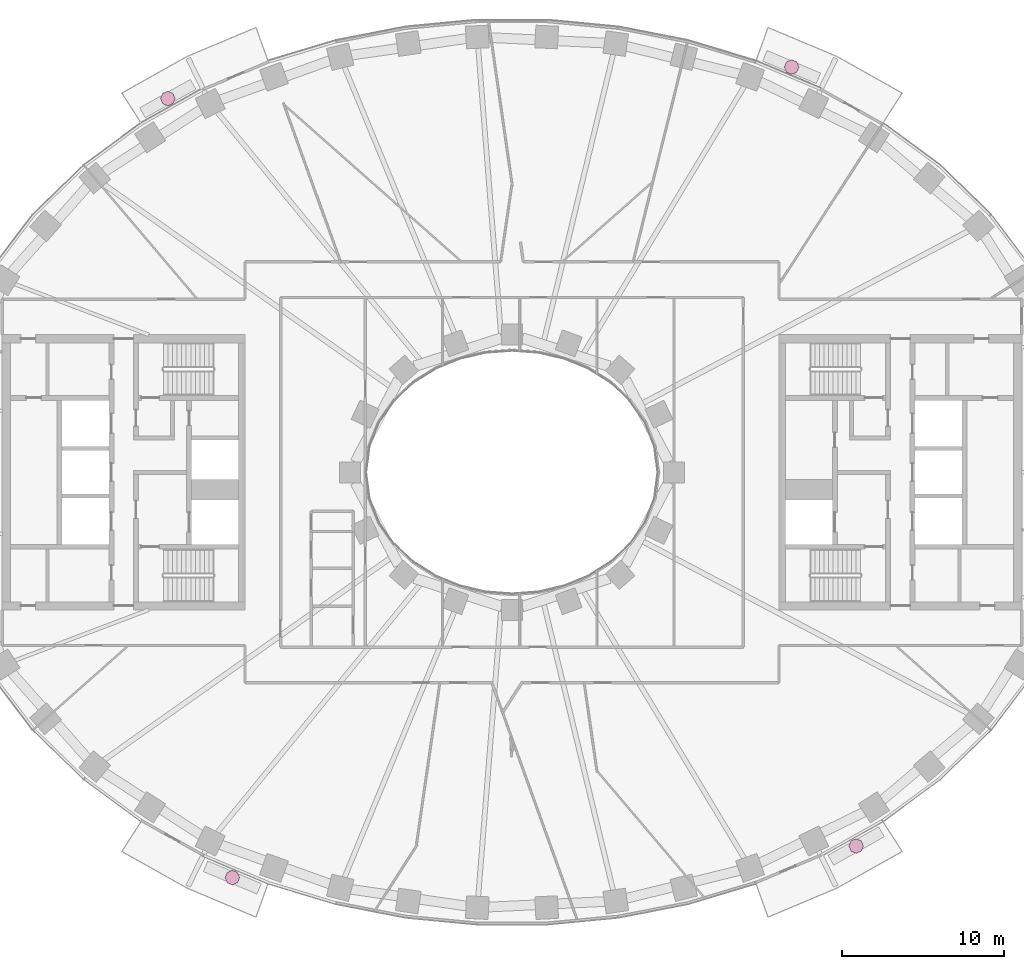
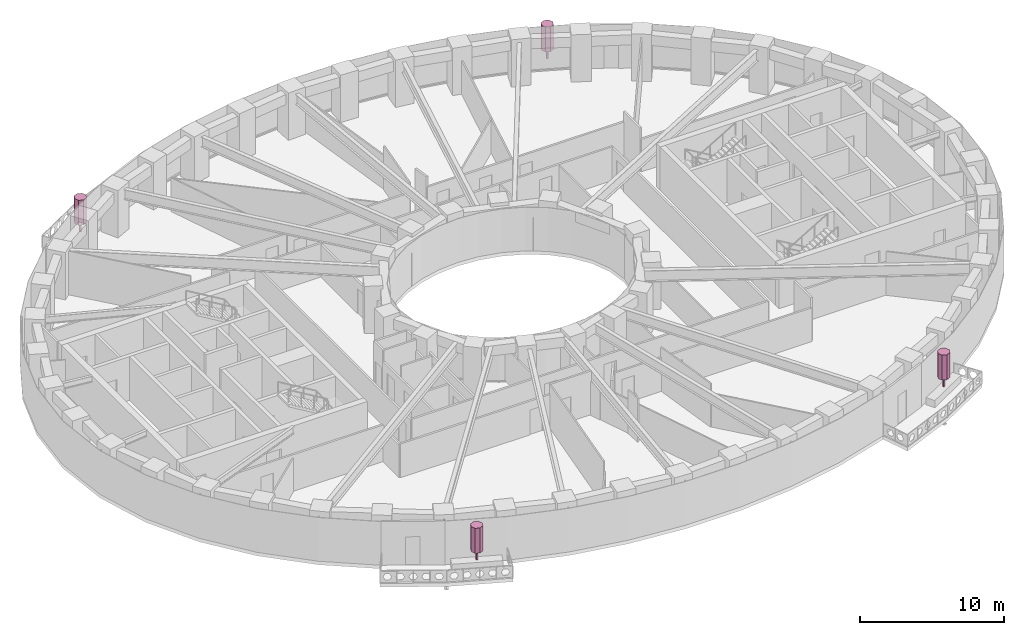
# One storey, part 15 of 15: 4 furnishings.
"""IFC4 building model written with IfcOpenShell, lengths in metres."""

from ifc_helpers import new_model, si_unit, direction, frame, origin, origin_2d, place, context, subcontext, project, spatial, polyline, rectangle, outline, extrude, material, type_object, element, save


model = new_model("IFC4")

# Units and contexts
model_context = context("Model", 3, precision=1e-05, world=origin(), true_north=direction((0.0, 1.0)))
body_context = subcontext(model_context, "Body", "Model", "MODEL_VIEW")
ifc_project = project(units=[si_unit("LENGTHUNIT", "METRE"), si_unit("AREAUNIT", "SQUARE_METRE"), si_unit("VOLUMEUNIT", "CUBIC_METRE"), si_unit("PLANEANGLEUNIT", "RADIAN"), si_unit("MASSUNIT", "GRAM", prefix="KILO")], contexts=[model_context])

# Site, building, storey
site_placement = place(None, origin())
site = spatial("IfcSite", under=ifc_project, at=site_placement, CompositionType="ELEMENT")
building_placement = place(site_placement, origin())
building = spatial("IfcBuilding", under=site, at=building_placement, Name="Noorbagh Ring Tower", CompositionType="ELEMENT")
storey_placement = place(building_placement, frame((0.0, 0.0, 62.5)))
storey = spatial("IfcBuildingStorey", under=building, at=storey_placement, Name="L13", CompositionType="ELEMENT", Elevation=62.5)

# Furnishings
ifc_material = material(Name="Planting foliage green")
furnishing_element_type = type_object("IfcFurnishingElementType", Name="ENV-TREE", material=ifc_material)
for number, where, z_axis, x_axis, name in (
    (1, (17.280517578125, 25.041259765625, 0.60009765625), (0.0, 0.0, 1.0), (1.0, 0.0, 0.0), "Tree BN02"),
    (2, (-21.26513671875, 23.093017578125, 0.60009765625), (0.0, 0.0, 1.0), (1.0, 0.0, 0.0), "Tree BN05"),
    (3, (-17.280517578125, -25.041259765625, 0.60009765625), (0.0, 0.0, 1.0), (1.0, 0.0, 0.0), "Tree BS02"),
    (4, (21.26513671875, -23.093017578125, 0.60009765625), (0.0, 0.0, 1.0), (1.0, 0.0, 0.0), "Tree BS05"),
):
    element("IfcFurnishingElement", number, at=place(storey_placement, frame(where, z_axis=z_axis, x_axis=x_axis)), inside=storey, type_object=furnishing_element_type, Name=name, context=body_context, shape_type="SweptSolid", body=[
        extrude(rectangle(XDim=0.1201171875, YDim=0.1201171875, at=origin_2d()), origin(), (0.0, 0.0, 1.0), 0.825927734375),
        extrude(outline(polyline([(0.449951171875, 0.0), (0.318115234375, 0.318115234375), (0.0, 0.449951171875), (-0.318115234375, 0.318115234375), (-0.449951171875, 0.0), (-0.318115234375, -0.318115234375), (0.0, -0.449951171875), (0.318115234375, -0.318115234375), (0.449951171875, 0.0)])), frame((0.0, 0.0, 0.825927734375)), (0.0, 0.0, 1.0), 2.1240234375),
    ])

save(model, "model.ifc")
